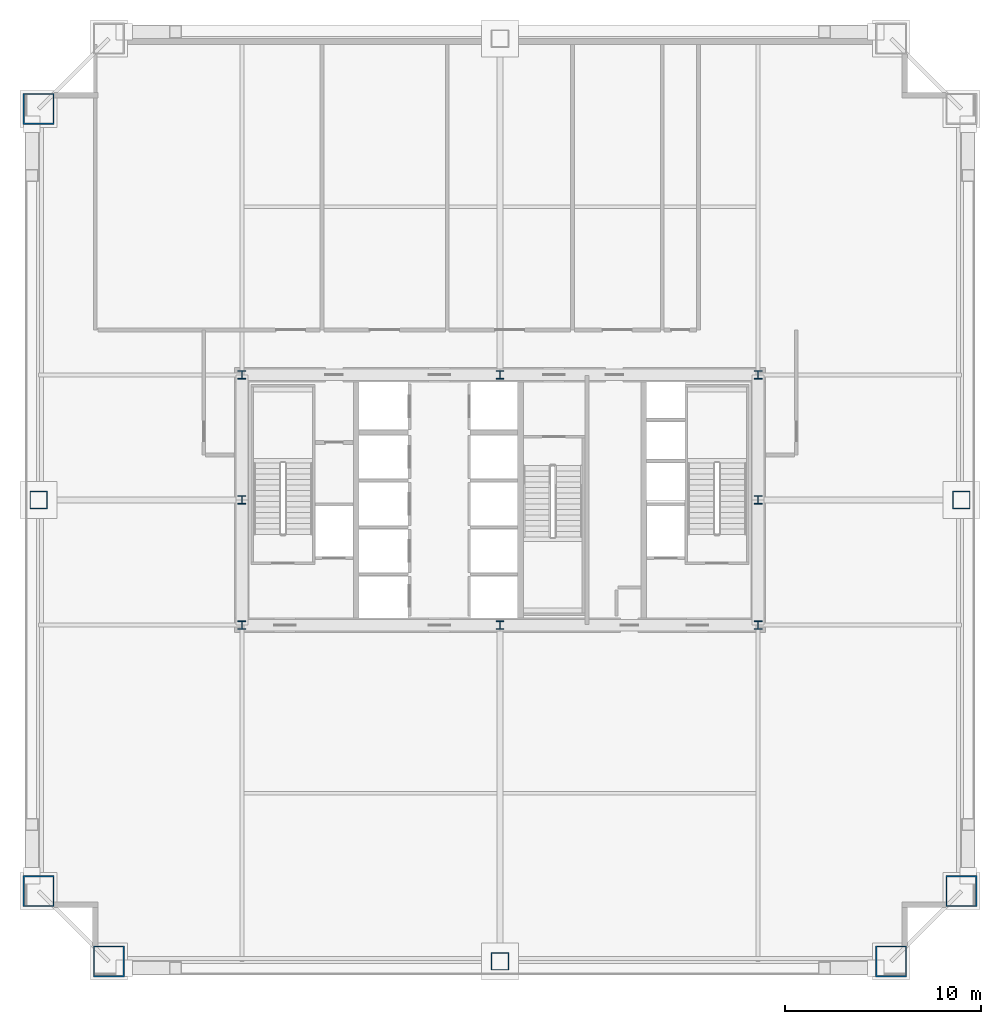
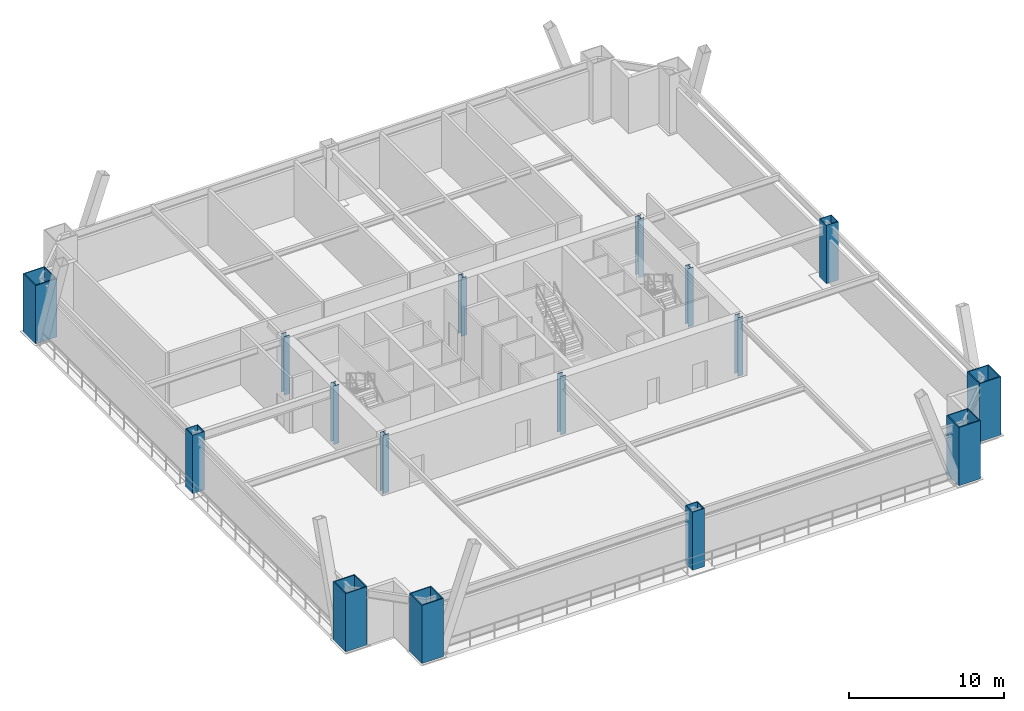
# One storey, part 1 of 9: 16 columns.
"""IFC4 building model written with IfcOpenShell, lengths in metres."""

from ifc_helpers import new_model, si_unit, direction, frame, origin, origin_2d, place, context, subcontext, project, spatial, hollow_rectangle, i_section, extrude, source, transform, mapped, material, material_profile, profile_set, type_object, element, save


model = new_model("IFC4")

# Units and contexts
model_context = context("Model", 3, precision=1e-05, world=origin(), true_north=direction((0.0, 1.0)))
body_context = subcontext(model_context, "Body", "Model", "MODEL_VIEW")
ifc_project = project(units=[si_unit("LENGTHUNIT", "METRE"), si_unit("AREAUNIT", "SQUARE_METRE"), si_unit("VOLUMEUNIT", "CUBIC_METRE"), si_unit("PLANEANGLEUNIT", "RADIAN"), si_unit("MASSUNIT", "GRAM", prefix="KILO"), si_unit("THERMODYNAMICTEMPERATUREUNIT", "KELVIN"), si_unit("POWERUNIT", "WATT")], contexts=[model_context])

# Site, building, storey
site_placement = place(None, origin())
site = spatial("IfcSite", under=ifc_project, at=site_placement, CompositionType="ELEMENT")
building_placement = place(site_placement, origin())
building = spatial("IfcBuilding", under=site, at=building_placement, Name="Yuzanri Waterfront Tower", CompositionType="ELEMENT")
storey_placement = place(building_placement, frame((0.0, 0.0, 85.60009765625)))
storey = spatial("IfcBuildingStorey", under=building, at=storey_placement, Name="L22", CompositionType="ELEMENT", Elevation=85.60009765625)

# Columns
ifc_material_1 = material(Name="Steel Q355B", Category="steel")
ifc_material_profile_1 = material_profile(ifc_material_1, i_section(OverallWidth=0.406982421875, OverallDepth=0.427978515625, WebThickness=0.02001953125, FlangeThickness=0.034912109375, at=origin_2d()), Name="HW 428x407x20x35")
ifc_profile_set_1 = profile_set([ifc_material_profile_1], Name="Steel Q355B")
column_type_1 = type_object("IfcColumnType", Name="Core Post Q355B HW 428x407x20x35", PredefinedType="COLUMN", material=ifc_profile_set_1)
shared_shape_1 = source(origin(), body_context, "Body", "SweptSolid", [
    extrude(i_section(OverallWidth=0.406982421875, OverallDepth=0.427978515625, WebThickness=0.02001953125, FlangeThickness=0.034912109375, at=origin_2d()), origin(), (0.0, 0.0, 1.0), 4.599853515625),
])
for number, where, z_axis, x_axis, name in (
    (1, (23.800048828125, 19.39990234375, 0.0), (0.0, 0.0, 1.0), (1.0, 0.0, 0.0), "L22 Core Boundary Column CP1"),
    (2, (37.0, 19.39990234375, 0.0), (0.0, 0.0, 1.0), (1.0, 0.0, 0.0), "L22 Core Boundary Column CP2"),
    (3, (50.199951171875, 19.39990234375, 0.0), (0.0, 0.0, 1.0), (1.0, 0.0, 0.0), "L22 Core Boundary Column CP3"),
    (4, (23.800048828125, 25.800048828125, 0.0), (0.0, 0.0, 1.0), (1.0, 0.0, 0.0), "L22 Core Boundary Column CP4"),
    (5, (50.199951171875, 25.800048828125, 0.0), (0.0, 0.0, 1.0), (1.0, 0.0, 0.0), "L22 Core Boundary Column CP5"),
    (6, (23.800048828125, 32.199951171875, 0.0), (0.0, 0.0, 1.0), (1.0, 0.0, 0.0), "L22 Core Boundary Column CP6"),
    (7, (37.0, 32.199951171875, 0.0), (0.0, 0.0, 1.0), (1.0, 0.0, 0.0), "L22 Core Boundary Column CP7"),
    (8, (50.199951171875, 32.199951171875, 0.0), (0.0, 0.0, 1.0), (1.0, 0.0, 0.0), "L22 Core Boundary Column CP8"),
):
    element("IfcColumn", number, at=place(storey_placement, frame(where, z_axis=z_axis, x_axis=x_axis)), inside=storey, type_object=column_type_1, Name=name, PredefinedType="COLUMN", context=body_context, shape_type="MappedRepresentation", body=[
        mapped(shared_shape_1, transform((0.0, 0.0, 0.0), scale=1.0)),
    ])
ifc_material_2 = material(Name="Steel Q420GJC", Category="steel")
ifc_material_profile_2 = material_profile(ifc_material_2, hollow_rectangle(XDim=1.60009765625, YDim=1.60009765625, WallThickness=0.070068359375, at=origin_2d()), Name="RHS 1600x1600x70")
ifc_profile_set_2 = profile_set([ifc_material_profile_2], Name="Steel Q420GJC")
column_type_2 = type_object("IfcColumnType", Name="Mega Column Q420GJC RHS 1600x1600x70", PredefinedType="COLUMN", material=ifc_profile_set_2)
shared_shape_2 = source(origin(), body_context, "Body", "SweptSolid", [
    extrude(hollow_rectangle(XDim=1.60009765625, YDim=1.60009765625, WallThickness=0.070068359375, at=origin_2d()), origin(), (0.0, 0.0, 1.0), 4.599853515625),
])
for number, where, z_axis, x_axis, name in (
    (9, (17.0, 2.199951171875, 0.0), (0.0, 0.0, 1.0), (1.0, 0.0, 0.0), "L22 Perimeter Mega Column S1"),
    (10, (57.0, 2.199951171875, 0.0), (0.0, 0.0, 1.0), (1.0, 0.0, 0.0), "L22 Perimeter Mega Column S3"),
    (11, (13.39990234375, 5.800048828125, 0.0), (0.0, 0.0, 1.0), (1.0, 0.0, 0.0), "L22 Perimeter Mega Column W1"),
    (12, (13.39990234375, 45.800048828125, 0.0), (0.0, 0.0, 1.0), (1.0, 0.0, 0.0), "L22 Perimeter Mega Column W3"),
    (13, (60.60009765625, 5.800048828125, 0.0), (0.0, 0.0, 1.0), (1.0, 0.0, 0.0), "L22 Perimeter Mega Column E1"),
):
    element("IfcColumn", number, at=place(storey_placement, frame(where, z_axis=z_axis, x_axis=x_axis)), inside=storey, type_object=column_type_2, Name=name, PredefinedType="COLUMN", context=body_context, shape_type="MappedRepresentation", body=[
        mapped(shared_shape_2, transform((0.0, 0.0, 0.0), scale=1.0)),
    ])
ifc_material_3 = material(Name="Steel Q390GJC", Category="steel")
ifc_material_profile_3 = material_profile(ifc_material_3, hollow_rectangle(XDim=0.89990234375, YDim=0.89990234375, WallThickness=0.0419921875, at=origin_2d()), Name="RHS 900x900x42")
ifc_profile_set_3 = profile_set([ifc_material_profile_3], Name="Steel Q390GJC")
column_type_3 = type_object("IfcColumnType", Name="Frame Column Q390GJC RHS 900x900x42", PredefinedType="COLUMN", material=ifc_profile_set_3)
shared_shape_3 = source(origin(), body_context, "Body", "SweptSolid", [
    extrude(hollow_rectangle(XDim=0.89990234375, YDim=0.89990234375, WallThickness=0.0419921875, at=origin_2d()), origin(), (0.0, 0.0, 1.0), 4.599853515625),
])
for number, where, z_axis, x_axis, name in (
    (14, (37.0, 2.199951171875, 0.0), (0.0, 0.0, 1.0), (1.0, 0.0, 0.0), "L22 Perimeter Frame Column S2"),
    (15, (13.39990234375, 25.800048828125, 0.0), (0.0, 0.0, 1.0), (1.0, 0.0, 0.0), "L22 Perimeter Frame Column W2"),
    (16, (60.60009765625, 25.800048828125, 0.0), (0.0, 0.0, 1.0), (1.0, 0.0, 0.0), "L22 Perimeter Frame Column E2"),
):
    element("IfcColumn", number, at=place(storey_placement, frame(where, z_axis=z_axis, x_axis=x_axis)), inside=storey, type_object=column_type_3, Name=name, PredefinedType="COLUMN", context=body_context, shape_type="MappedRepresentation", body=[
        mapped(shared_shape_3, transform((0.0, 0.0, 0.0), scale=1.0)),
    ])

save(model, "model.ifc")
